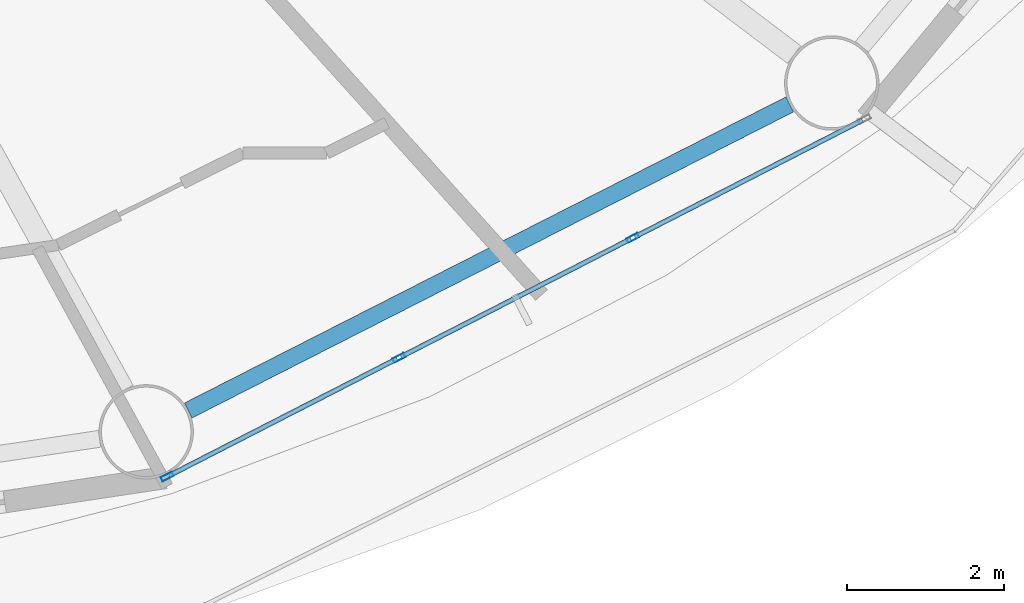
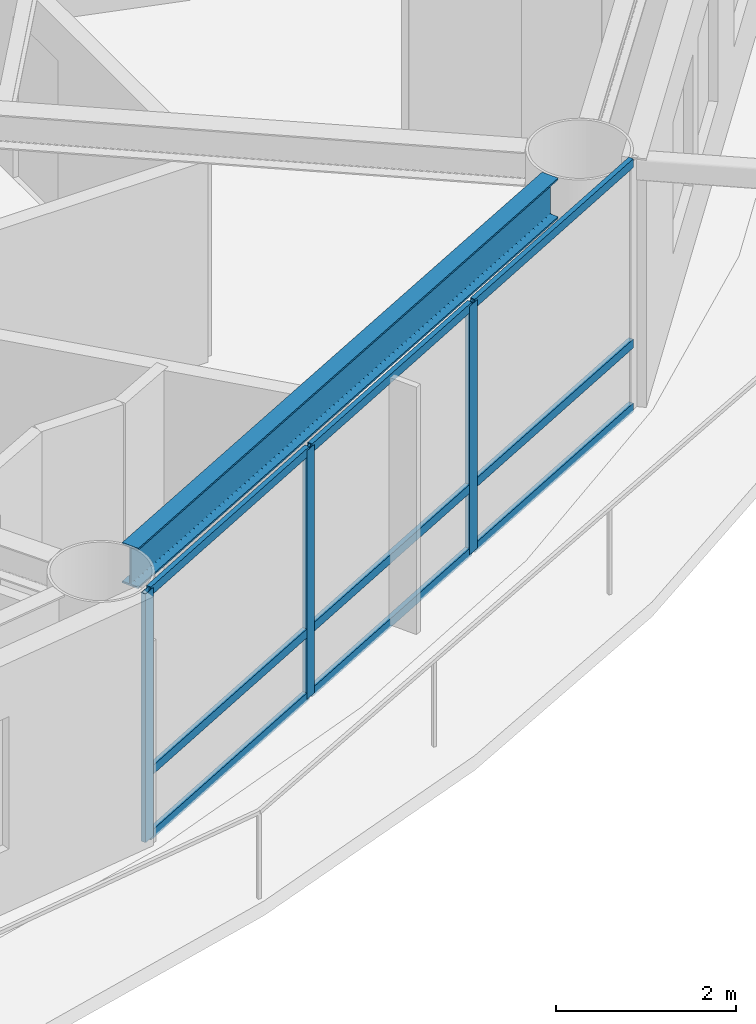
# One storey, part 5 of 28: 12 members, 1 beam, 1 element without a shape of its own.
"""IFC4 building model written with IfcOpenShell, lengths in metres."""

from ifc_helpers import new_model, si_unit, direction, frame, origin, origin_2d, place, context, subcontext, project, spatial, hollow_rectangle, i_section, extrude, material, layer, layer_set, material_profile, profile_set, type_object, element, aggregate, save


model = new_model("IFC4")

# Units and contexts
model_context = context("Model", 3, precision=1e-05, world=origin(), true_north=direction((0.0, 1.0)))
body_context = subcontext(model_context, "Body", "Model", "MODEL_VIEW")
ifc_project = project(units=[si_unit("LENGTHUNIT", "METRE"), si_unit("AREAUNIT", "SQUARE_METRE"), si_unit("VOLUMEUNIT", "CUBIC_METRE"), si_unit("PLANEANGLEUNIT", "RADIAN"), si_unit("MASSUNIT", "GRAM", prefix="KILO")], contexts=[model_context])

# Site, building, storey
site_placement = place(None, origin())
site = spatial("IfcSite", under=ifc_project, at=site_placement, CompositionType="ELEMENT")
building_placement = place(site_placement, origin())
building = spatial("IfcBuilding", under=site, at=building_placement, Name="Sarneth Arch Tower", CompositionType="ELEMENT")
storey_placement = place(building_placement, frame((0.0, 0.0, 183.0)))
storey = spatial("IfcBuildingStorey", under=building, at=storey_placement, Name="L46", CompositionType="ELEMENT", Elevation=183.0)

# Beam
ifc_material_1 = material(Name="Steel S355", Category="steel")
ifc_material_profile_1 = material_profile(ifc_material_1, i_section(OverallWidth=0.214111328125, OverallDepth=0.549072265625, WebThickness=0.0146484375, FlangeThickness=0.023681640625, FilletRadius=0.01806640625, at=origin_2d()), Name="W530x138")
ifc_profile_set_1 = profile_set([ifc_material_profile_1], Name="Steel S355")
beam_type = type_object("IfcBeamType", Name="BM-RAD-530A", PredefinedType="BEAM", material=ifc_profile_set_1)
beam_placement = place(storey_placement, frame((58.95654296875, 23.378662109375, 3.10546875), z_axis=(0.891250372735, 0.453511601945, 0.0), x_axis=(-0.453511601945, 0.891250372735, 0.0)))
element("IfcBeam", 1, at=beam_placement, inside=storey, type_object=beam_type, Name="L46 Perimeter spandrel beam 14", PredefinedType="BEAM", context=body_context, shape_type="SweptSolid", body=[
    extrude(i_section(OverallWidth=0.214111328125, OverallDepth=0.549072265625, WebThickness=0.0146484375, FlangeThickness=0.023681640625, FilletRadius=0.01806640625, at=origin_2d()), origin(), (0.0, 0.0, 1.0), 8.5751953125),
])

# Curtain wall, members
ifc_material_2 = material(Name="Anodised aluminium Type AA25 and solar-control low-e laminated IGU", Category="aluminium")
ifc_layer = layer(ifc_material_2, 0.169921875)
ifc_layer_set = layer_set([ifc_layer], Name="Anodised aluminium Type AA25 and solar-control low-e laminated IGU")
curtain_wall_type = type_object("IfcCurtainWallType", Name="CW-RES-MID", PredefinedType="NOTDEFINED", material=ifc_layer_set)
curtain_wall_placement = place(storey_placement, origin())
curtain_wall = element("IfcCurtainWall", 2, at=curtain_wall_placement, inside=storey, type_object=curtain_wall_type, Name="L46 Unitised curtain wall facet 14", PredefinedType="NOTDEFINED")
ifc_material_3 = material(Name="Anodised Aluminium 6063-T6", Category="aluminium")
ifc_material_profile_2 = material_profile(ifc_material_3, hollow_rectangle(XDim=0.06005859375, YDim=0.159912109375, WallThickness=0.00390625, at=origin_2d()), Name="AL-MULL-160x60x4")
ifc_profile_set_2 = profile_set([ifc_material_profile_2], Name="Anodised Aluminium 6063-T6")
member_type_1 = type_object("IfcMemberType", Name="CW-MULLION", PredefinedType="MULLION", material=ifc_profile_set_2)
member_1_placement = place(storey_placement, frame((58.689453125, 22.538330078125, 0.0), z_axis=(0.0, 0.0, 1.0), x_axis=(-0.456208470329, 0.88987293003, 0.0)))
member_1 = element("IfcMember", 3, at=member_1_placement, type_object=member_type_1, Name="CW-SYS-5 mullion 1", PredefinedType="MULLION", context=body_context, shape_type="SweptSolid", body=[
    extrude(hollow_rectangle(XDim=0.06005859375, YDim=0.159912109375, WallThickness=0.00390625, at=origin_2d()), origin(), (0.0, 0.0, 1.0), 3.3798828125),
])
member_2_placement = place(storey_placement, frame((61.634033203125, 24.0478515625, 0.0), z_axis=(0.0, 0.0, 1.0), x_axis=(-0.456208470329, 0.88987293003, 0.0)))
member_2 = element("IfcMember", 4, at=member_2_placement, type_object=member_type_1, Name="CW-SYS-5 mullion 2", PredefinedType="MULLION", context=body_context, shape_type="SweptSolid", body=[
    extrude(hollow_rectangle(XDim=0.06005859375, YDim=0.159912109375, WallThickness=0.00390625, at=origin_2d()), origin(), (0.0, 0.0, 1.0), 3.3798828125),
])
member_3_placement = place(storey_placement, frame((64.60498046875, 25.571044921875, 0.0), z_axis=(0.0, 0.0, 1.0), x_axis=(-0.456208470329, 0.88987293003, 0.0)))
member_3 = element("IfcMember", 5, at=member_3_placement, type_object=member_type_1, Name="CW-SYS-5 mullion 3", PredefinedType="MULLION", context=body_context, shape_type="SweptSolid", body=[
    extrude(hollow_rectangle(XDim=0.06005859375, YDim=0.159912109375, WallThickness=0.00390625, at=origin_2d()), origin(), (0.0, 0.0, 1.0), 3.3798828125),
])
ifc_material_4 = material(Name="Anodised Aluminium 6063-T6", Category="aluminium")
ifc_material_profile_3 = material_profile(ifc_material_4, hollow_rectangle(XDim=0.06005859375, YDim=0.1201171875, WallThickness=0.00390625, at=origin_2d()), Name="AL-TRAN-120x60x4")
ifc_profile_set_3 = profile_set([ifc_material_profile_3], Name="Anodised Aluminium 6063-T6")
member_type_2 = type_object("IfcMemberType", Name="CW-TRANSOM", PredefinedType="USERDEFINED", material=ifc_profile_set_3)
member_4_placement = place(storey_placement, frame((58.71630859375, 22.552001953125, 0.030029296875), z_axis=(0.889857362344, 0.456238835131, 0.0), x_axis=(-0.456238835131, 0.889857362344, 0.0)))
member_4 = element("IfcMember", 6, at=member_4_placement, type_object=member_type_2, Name="CW-SYS-5 transom 1.1", ObjectType="TRANSOM", PredefinedType="USERDEFINED", context=body_context, shape_type="SweptSolid", body=[
    extrude(hollow_rectangle(XDim=0.06005859375, YDim=0.1201171875, WallThickness=0.00390625, at=origin_2d()), origin(), (0.0, 0.0, 1.0), 3.248779296875),
])
member_5_placement = place(storey_placement, frame((58.71630859375, 22.552001953125, 0.89990234375), z_axis=(0.889857362344, 0.456238835131, 0.0), x_axis=(-0.456238835131, 0.889857362344, 0.0)))
member_5 = element("IfcMember", 7, at=member_5_placement, type_object=member_type_2, Name="CW-SYS-5 transom 1.2", ObjectType="TRANSOM", PredefinedType="USERDEFINED", context=body_context, shape_type="SweptSolid", body=[
    extrude(hollow_rectangle(XDim=0.06005859375, YDim=0.1201171875, WallThickness=0.00390625, at=origin_2d()), origin(), (0.0, 0.0, 1.0), 3.248779296875),
])
member_6_placement = place(storey_placement, frame((58.71630859375, 22.552001953125, 3.35009765625), z_axis=(0.889857362344, 0.456238835131, 0.0), x_axis=(-0.456238835131, 0.889857362344, 0.0)))
member_6 = element("IfcMember", 8, at=member_6_placement, type_object=member_type_2, Name="CW-SYS-5 transom 1.3", ObjectType="TRANSOM", PredefinedType="USERDEFINED", context=body_context, shape_type="SweptSolid", body=[
    extrude(hollow_rectangle(XDim=0.06005859375, YDim=0.1201171875, WallThickness=0.00390625, at=origin_2d()), origin(), (0.0, 0.0, 1.0), 3.248779296875),
])
member_7_placement = place(storey_placement, frame((61.66064453125, 24.0615234375, 0.030029296875), z_axis=(0.889869396751, 0.45621536222, 0.0), x_axis=(-0.45621536222, 0.889869396751, 0.0)))
member_7 = element("IfcMember", 9, at=member_7_placement, type_object=member_type_2, Name="CW-SYS-5 transom 2.1", ObjectType="TRANSOM", PredefinedType="USERDEFINED", context=body_context, shape_type="SweptSolid", body=[
    extrude(hollow_rectangle(XDim=0.06005859375, YDim=0.1201171875, WallThickness=0.00390625, at=origin_2d()), origin(), (0.0, 0.0, 1.0), 3.27880859375),
])
member_8_placement = place(storey_placement, frame((61.66064453125, 24.0615234375, 0.89990234375), z_axis=(0.889869396751, 0.45621536222, 0.0), x_axis=(-0.45621536222, 0.889869396751, 0.0)))
member_8 = element("IfcMember", 10, at=member_8_placement, type_object=member_type_2, Name="CW-SYS-5 transom 2.2", ObjectType="TRANSOM", PredefinedType="USERDEFINED", context=body_context, shape_type="SweptSolid", body=[
    extrude(hollow_rectangle(XDim=0.06005859375, YDim=0.1201171875, WallThickness=0.00390625, at=origin_2d()), origin(), (0.0, 0.0, 1.0), 3.27880859375),
])
member_9_placement = place(storey_placement, frame((61.66064453125, 24.0615234375, 3.35009765625), z_axis=(0.889869396751, 0.45621536222, 0.0), x_axis=(-0.45621536222, 0.889869396751, 0.0)))
member_9 = element("IfcMember", 11, at=member_9_placement, type_object=member_type_2, Name="CW-SYS-5 transom 2.3", ObjectType="TRANSOM", PredefinedType="USERDEFINED", context=body_context, shape_type="SweptSolid", body=[
    extrude(hollow_rectangle(XDim=0.06005859375, YDim=0.1201171875, WallThickness=0.00390625, at=origin_2d()), origin(), (0.0, 0.0, 1.0), 3.27880859375),
])
member_10_placement = place(storey_placement, frame((64.6318359375, 25.584716796875, 0.030029296875), z_axis=(0.889857362344, 0.456238835131, 0.0), x_axis=(-0.456238835131, 0.889857362344, 0.0)))
member_10 = element("IfcMember", 12, at=member_10_placement, type_object=member_type_2, Name="CW-SYS-5 transom 3.1", ObjectType="TRANSOM", PredefinedType="USERDEFINED", context=body_context, shape_type="SweptSolid", body=[
    extrude(hollow_rectangle(XDim=0.06005859375, YDim=0.1201171875, WallThickness=0.00390625, at=origin_2d()), origin(), (0.0, 0.0, 1.0), 3.248779296875),
])
member_11_placement = place(storey_placement, frame((64.6318359375, 25.584716796875, 0.89990234375), z_axis=(0.889857362344, 0.456238835131, 0.0), x_axis=(-0.456238835131, 0.889857362344, 0.0)))
member_11 = element("IfcMember", 13, at=member_11_placement, type_object=member_type_2, Name="CW-SYS-5 transom 3.2", ObjectType="TRANSOM", PredefinedType="USERDEFINED", context=body_context, shape_type="SweptSolid", body=[
    extrude(hollow_rectangle(XDim=0.06005859375, YDim=0.1201171875, WallThickness=0.00390625, at=origin_2d()), origin(), (0.0, 0.0, 1.0), 3.248779296875),
])
member_12_placement = place(storey_placement, frame((64.6318359375, 25.584716796875, 3.35009765625), z_axis=(0.889857362344, 0.456238835131, 0.0), x_axis=(-0.456238835131, 0.889857362344, 0.0)))
member_12 = element("IfcMember", 14, at=member_12_placement, type_object=member_type_2, Name="CW-SYS-5 transom 3.3", ObjectType="TRANSOM", PredefinedType="USERDEFINED", context=body_context, shape_type="SweptSolid", body=[
    extrude(hollow_rectangle(XDim=0.06005859375, YDim=0.1201171875, WallThickness=0.00390625, at=origin_2d()), origin(), (0.0, 0.0, 1.0), 3.248779296875),
])
aggregate(curtain_wall, [member_1, member_2, member_3, member_4, member_5, member_6, member_7, member_8, member_9, member_10, member_11, member_12])

save(model, "model.ifc")
